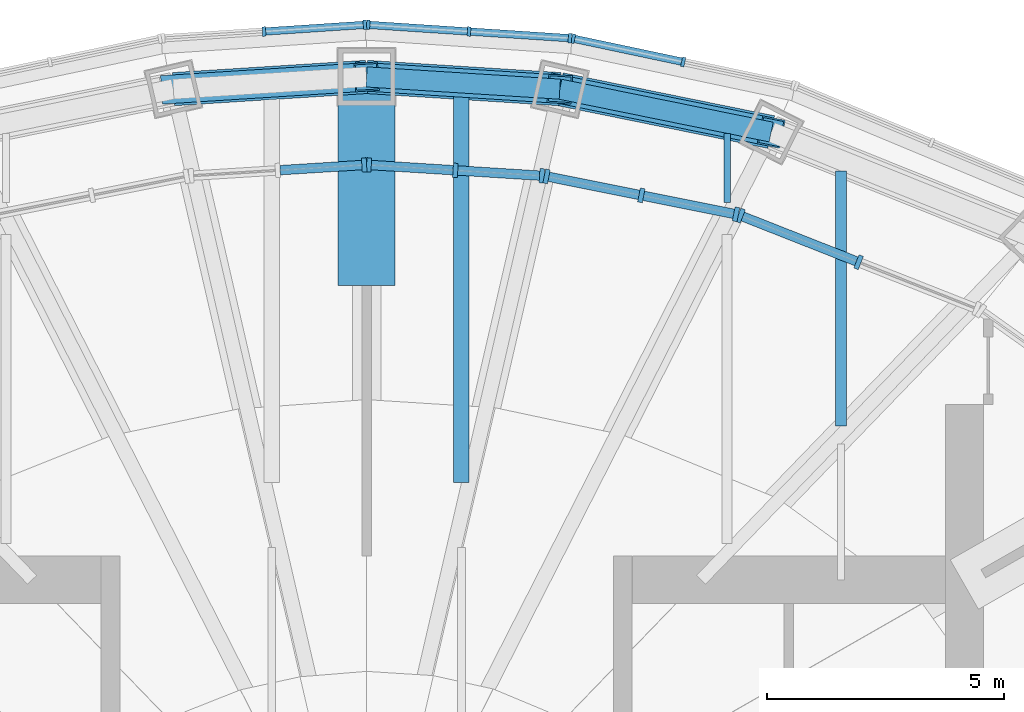
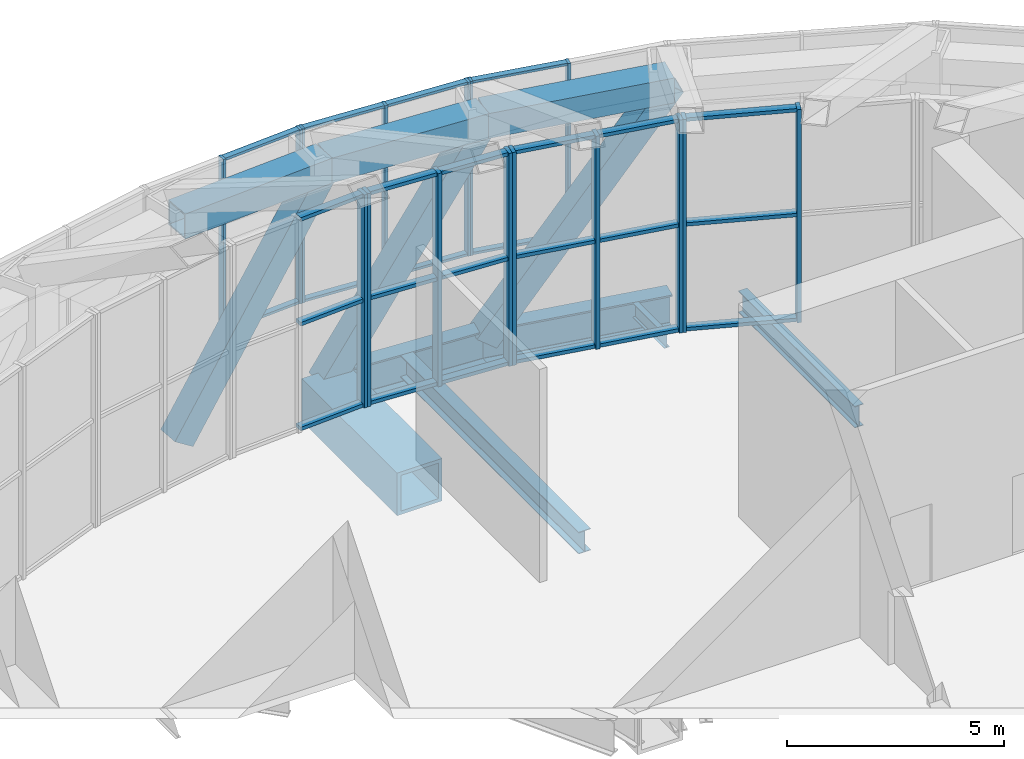
# One storey, part 12 of 21: 45 members, 9 beams, 7 elements without a shape of their own.
"""IFC4 building model written with IfcOpenShell, lengths in metres."""

import ifcopenshell
import ifcopenshell.guid

model = None  # the IFC model being written
_history = None  # IfcOwnerHistory: only IFC2X3 demands one
_inside = {}  # id of a spatial element -> (the spatial element, [elements in it])
_under = {}  # id of a project, library or spatial element -> (it, [spatial elements below it])
_declared = {}  # id of a project -> (the project, [libraries it declares])
_typed = {}  # id of a type object -> (the type object, [elements of that type])
_made_of = {}  # id of a material, layer set ... -> (it, [elements and type objects made of it])


def new_model(schema):
    """Start an empty IFC model of exactly this schema.

    Asked for "IFC4X3", IfcOpenShell would pick the latest addendum, in which some entities
    have other attributes; the version numbers below select the first issue.
    IFC2X3 requires an IfcOwnerHistory on every rooted entity: one is made here for all.
    """
    global model, _history
    if schema == "IFC4X3":
        model = ifcopenshell.file(schema_version=(4, 3, 0, 0))
    else:
        model = ifcopenshell.file(schema=schema)
    _inside.clear()
    _under.clear()
    _declared.clear()
    _typed.clear()
    _made_of.clear()
    _history = None
    if model.schema == "IFC2X3":
        org = make("IfcOrganization", Name="unknown")
        user = make(
            "IfcPersonAndOrganization",
            ThePerson=make("IfcPerson", FamilyName="unknown"),
            TheOrganization=org,
        )
        app = make(
            "IfcApplication",
            ApplicationDeveloper=org,
            Version="unknown",
            ApplicationFullName="unknown",
            ApplicationIdentifier="unknown",
        )
        _history = make(
            "IfcOwnerHistory",
            OwningUser=user,
            OwningApplication=app,
            ChangeAction="ADDED",
            CreationDate=0,
        )
    return model


def make(cls, **values):
    """One entity of the class cls with the attributes given. An attribute that is None is left unset."""
    return model.create_entity(
        cls, **{name: value for name, value in values.items() if value is not None}
    )


def rooted(cls, **values):
    """An entity with a GlobalId (a new one), such as an element, a storey or a relation."""
    return make(cls, GlobalId=ifcopenshell.guid.new(), OwnerHistory=_history, **values)


def si_unit(unit_type, name, prefix=None):
    """IfcSIUnit, for example si_unit("LENGTHUNIT", "METRE", prefix="MILLI")."""
    return make("IfcSIUnit", UnitType=unit_type, Prefix=prefix, Name=name)


def assignment(units):
    """IfcUnitAssignment: the units of a project."""
    return None if units is None else make("IfcUnitAssignment", Units=units)


def point(xyz):
    """IfcCartesianPoint."""
    return None if xyz is None else make("IfcCartesianPoint", Coordinates=xyz)


def direction(xyz):
    """IfcDirection."""
    return None if xyz is None else make("IfcDirection", DirectionRatios=xyz)


def frame(location, z_axis=None, x_axis=None):
    """IfcAxis2Placement3D, a coordinate frame: its origin and axes. An axis left out is left unset."""
    return make(
        "IfcAxis2Placement3D",
        Location=point(location),
        Axis=direction(z_axis),
        RefDirection=direction(x_axis),
    )


def frame_2d(location, x_axis=None):
    """IfcAxis2Placement2D, a coordinate frame in the plane: its origin and x axis."""
    return make(
        "IfcAxis2Placement2D", Location=point(location), RefDirection=direction(x_axis)
    )


def origin():
    """The frame at (0, 0, 0) with its axes left unset."""
    return frame((0.0, 0.0, 0.0))


def origin_2d():
    """The frame at (0, 0) in the plane with its x axis left unset."""
    return frame_2d((0.0, 0.0))


def place(relative_to, where):
    """IfcLocalPlacement: puts the frame where relative to a parent placement (None: the world)."""
    return make(
        "IfcLocalPlacement", PlacementRelTo=relative_to, RelativePlacement=where
    )


def context(
    kind, dimensions, precision=None, world=None, true_north=None, identifier=None
):
    """IfcGeometricRepresentationContext, for example the 3D "Model" context."""
    return make(
        "IfcGeometricRepresentationContext",
        ContextIdentifier=identifier,
        ContextType=kind,
        CoordinateSpaceDimension=dimensions,
        Precision=precision,
        WorldCoordinateSystem=world,
        TrueNorth=true_north,
    )


def subcontext(parent, identifier, kind, view, scale=None):
    """IfcGeometricRepresentationSubContext, for example "Body" below "Model"."""
    return make(
        "IfcGeometricRepresentationSubContext",
        ContextIdentifier=identifier,
        ContextType=kind,
        ParentContext=parent,
        TargetScale=scale,
        TargetView=view,
    )


def project(units=None, contexts=None):
    """IfcProject with its units and contexts."""
    return rooted(
        "IfcProject",
        Name="project",
        RepresentationContexts=contexts,
        UnitsInContext=assignment(units),
    )


def spatial(cls, under=None, at=None, **own):
    """A site, building, storey or space (cls), placed at a placement, below another one or the project."""
    s = rooted(cls, ObjectPlacement=at, **own)
    if under is not None:
        _under.setdefault(under.id(), (under, []))[1].append(s)
    return s


def profile(cls, at=None, kind="AREA", **sizes):
    """A parametric profile (cls). Its sizes go by their IFC names, for example OverallWidth=200.0."""
    return make(cls, ProfileType=kind, Position=at, **sizes)


def rectangle(**sizes):
    """IfcRectangleProfileDef."""
    return profile("IfcRectangleProfileDef", **sizes)


def hollow_rectangle(**sizes):
    """IfcRectangleHollowProfileDef."""
    return profile("IfcRectangleHollowProfileDef", **sizes)


def i_section(**sizes):
    """IfcIShapeProfileDef."""
    return profile("IfcIShapeProfileDef", **sizes)


def extrude(swept, where, along, depth):
    """IfcExtrudedAreaSolid: the profile swept, set in the frame where, extruded along a direction by depth."""
    return make(
        "IfcExtrudedAreaSolid",
        SweptArea=swept,
        Position=where,
        ExtrudedDirection=direction(along),
        Depth=depth,
    )


def shape(context_of_items, identifier, shape_type, items):
    """IfcShapeRepresentation: the items that make up one representation, for example the "Body"."""
    return make(
        "IfcShapeRepresentation",
        ContextOfItems=context_of_items,
        RepresentationIdentifier=identifier,
        RepresentationType=shape_type,
        Items=items,
    )


def material(Name=None, Category=None):
    """IfcMaterial."""
    return make("IfcMaterial", Name=Name, Category=Category)


def material_profile(
    of_material, cross_section, Name=None, Category=None, Priority=None
):
    """IfcMaterialProfile: a cross section and its material."""
    return make(
        "IfcMaterialProfile",
        Name=Name,
        Material=of_material,
        Profile=cross_section,
        Priority=Priority,
        Category=Category,
    )


def profile_set(profiles, Name=None, composite=None):
    """IfcMaterialProfileSet."""
    return make(
        "IfcMaterialProfileSet",
        Name=Name,
        MaterialProfiles=profiles,
        CompositeProfile=composite,
    )


def made_of(thing, what):
    """Note that an element or type object is made of a material, layer set ...; save() writes the relation."""
    if what is not None:
        _made_of.setdefault(what.id(), (what, []))[1].append(thing)
    return thing


def type_object(cls, material=None, **own):
    """A type object (cls), such as IfcWallType, which elements share."""
    return made_of(rooted(cls, **own), material)


def element(
    cls,
    number,
    at=None,
    inside=None,
    cuts=None,
    type_object=None,
    material=None,
    context=None,
    identifier="Body",
    shape_type=None,
    held_by="IfcProductDefinitionShape",
    body=None,
    shapes=None,
    **own,
):
    """One element of the class cls, such as IfcWall. Its Tag is "e" and its number.

    at: its placement. inside: the storey or other place that contains it. cuts: it is an
    opening in that element (IfcRelVoidsElement). A single representation is given by context,
    identifier, shape_type and body (its items); several are given by shapes. held_by: the class
    of the entity that holds the representations. save() writes the other relations.
    """
    e = rooted(cls, Tag="e%d" % number, ObjectPlacement=at, **own)
    if body is not None:
        shapes = [shape(context, identifier, shape_type, body)]
    if shapes is not None:
        e.Representation = make(held_by, Representations=shapes)
    if inside is not None:
        _inside.setdefault(inside.id(), (inside, []))[1].append(e)
    if cuts is not None:
        rooted(
            "IfcRelVoidsElement", RelatingBuildingElement=cuts, RelatedOpeningElement=e
        )
    if type_object is not None:
        _typed.setdefault(type_object.id(), (type_object, []))[1].append(e)
    return made_of(e, material)


def aggregate(whole, parts):
    """IfcRelAggregates: a whole, such as a stair, and the parts it consists of."""
    return rooted("IfcRelAggregates", RelatingObject=whole, RelatedObjects=parts)


def save(model, path):
    """Write the relations noted so far, then the file.

    IfcRelAggregates (storeys below a building ...), IfcRelContainedInSpatialStructure (elements
    in a storey), IfcRelDefinesByType, IfcRelAssociatesMaterial and IfcRelDeclares: one each for
    every whole, place, type object, material and project.
    """
    for whole, parts in _under.values():
        aggregate(whole, parts)
    for where, things in _inside.values():
        rooted(
            "IfcRelContainedInSpatialStructure",
            RelatedElements=things,
            RelatingStructure=where,
        )
    for kind, things in _typed.values():
        rooted("IfcRelDefinesByType", RelatedObjects=things, RelatingType=kind)
    for what, things in _made_of.values():
        rooted("IfcRelAssociatesMaterial", RelatedObjects=things, RelatingMaterial=what)
    for by, libraries in _declared.values():
        rooted("IfcRelDeclares", RelatingContext=by, RelatedDefinitions=libraries)
    model.write(path)


model = new_model("IFC4")

# Units and contexts
model_context = context("Model", 3, precision=1e-05, world=origin(), true_north=direction((0.0, 1.0)))
body_context = subcontext(model_context, "Body", "Model", "MODEL_VIEW")
ifc_project = project(units=[si_unit("LENGTHUNIT", "METRE"), si_unit("AREAUNIT", "SQUARE_METRE"), si_unit("VOLUMEUNIT", "CUBIC_METRE"), si_unit("PLANEANGLEUNIT", "RADIAN"), si_unit("MASSUNIT", "GRAM", prefix="KILO")], contexts=[model_context])

# Site, building, storey
site_placement = place(None, origin())
site = spatial("IfcSite", under=ifc_project, at=site_placement, CompositionType="ELEMENT")
building_placement = place(site_placement, origin())
building = spatial("IfcBuilding", under=site, at=building_placement, Name="Lantaw Convention Tower", CompositionType="ELEMENT")
storey_placement = place(building_placement, frame((0.0, 0.0, 290.39990234375)))
storey = spatial("IfcBuildingStorey", under=building, at=storey_placement, Name="L67", CompositionType="ELEMENT", Elevation=290.39990234375)

# Beams
ifc_material_1 = material(Name="Steel ASTM A992", Category="steel")
ifc_material_profile_1 = material_profile(ifc_material_1, i_section(OverallWidth=0.424072265625, OverallDepth=0.947509765625, WebThickness=0.02392578125, FlangeThickness=0.042724609375, FilletRadius=0.012451171875, at=origin_2d()), Name="W36X302")
ifc_profile_set_1 = profile_set([ifc_material_profile_1], Name="Steel ASTM A992")
beam_type_1 = type_object("IfcBeamType", Name="Beam BC W36X302", PredefinedType="SPANDREL", material=ifc_profile_set_1)
beam_1_placement = place(storey_placement, frame((8.5283203125, 16.73779296875, -0.673583984375), z_axis=(-0.980006466425, 0.198965639657, 0.0), x_axis=(-0.198965639657, -0.980006466425, 0.0)))
element("IfcBeam", 1, at=beam_1_placement, inside=storey, type_object=beam_type_1, Name="Belt truss chord 5", PredefinedType="SPANDREL", context=body_context, shape_type="SweptSolid", body=[
    extrude(i_section(OverallWidth=0.424072265625, OverallDepth=0.947509765625, WebThickness=0.02392578125, FlangeThickness=0.042724609375, FilletRadius=0.012451171875, at=origin_2d()), origin(), (0.0, 0.0, 1.0), 4.546142578125),
])
beam_2_placement = place(storey_placement, frame((4.072998046875, 17.642333984375, -0.673583984375), z_axis=(-0.998006453216, 0.063111958769, 0.0), x_axis=(-0.063111958769, -0.998006453216, 0.0)))
element("IfcBeam", 2, at=beam_2_placement, inside=storey, type_object=beam_type_1, Name="Belt truss chord 6", PredefinedType="SPANDREL", context=body_context, shape_type="SweptSolid", body=[
    extrude(i_section(OverallWidth=0.424072265625, OverallDepth=0.947509765625, WebThickness=0.02392578125, FlangeThickness=0.042724609375, FilletRadius=0.012451171875, at=origin_2d()), origin(), (0.0, 0.0, 1.0), 4.0810546875),
])
ifc_material_2 = material(Name="Steel EN 10025-3 S460N", Category="steel")
ifc_material_profile_2 = material_profile(ifc_material_2, hollow_rectangle(XDim=1.199951171875, YDim=1.199951171875, WallThickness=0.10009765625, at=origin_2d()), Name="BOX1200X100")
ifc_profile_set_2 = profile_set([ifc_material_profile_2], Name="Steel EN 10025-3 S460N")
beam_type_2 = type_object("IfcBeamType", Name="Beam G BOX1200X100", PredefinedType="BEAM", material=ifc_profile_set_2)
beam_3_placement = place(storey_placement, frame((0.0, 13.5, -0.7998046875), z_axis=(0.0, 1.0, 0.0), x_axis=(-1.0, 0.0, 0.0)))
element("IfcBeam", 3, at=beam_3_placement, inside=storey, type_object=beam_type_2, Name="Floor girder on ray 7", PredefinedType="BEAM", context=body_context, shape_type="SweptSolid", body=[
    extrude(hollow_rectangle(XDim=1.199951171875, YDim=1.199951171875, WallThickness=0.10009765625, at=origin_2d()), origin(), (0.0, 0.0, 1.0), 4.39990234375),
])
ifc_material_profile_3 = material_profile(ifc_material_1, i_section(OverallWidth=0.140380859375, OverallDepth=0.40380859375, WebThickness=0.007080078125, FlangeThickness=0.01123046875, FilletRadius=0.01025390625, at=origin_2d()), Name="W16X31")
ifc_profile_set_3 = profile_set([ifc_material_profile_3], Name="Steel ASTM A992")
beam_type_3 = type_object("IfcBeamType", Name="Beam J W16X31", PredefinedType="JOIST", material=ifc_profile_set_3)
beam_4_placement = place(storey_placement, frame((7.60009765625, 15.25439453125, -0.40185546875), z_axis=(0.0, 1.0, 0.0), x_axis=(-1.0, 0.0, 0.0)))
element("IfcBeam", 4, at=beam_4_placement, inside=storey, type_object=beam_type_3, Name="Floor joist", PredefinedType="JOIST", context=body_context, shape_type="SweptSolid", body=[
    extrude(i_section(OverallWidth=0.140380859375, OverallDepth=0.40380859375, WebThickness=0.007080078125, FlangeThickness=0.01123046875, FilletRadius=0.01025390625, at=origin_2d()), origin(), (0.0, 0.0, 1.0), 1.45556640625),
])
ifc_material_profile_4 = material_profile(ifc_material_1, i_section(OverallWidth=0.3251953125, OverallDepth=0.612060546875, WebThickness=0.0126953125, FlangeThickness=0.01904296875, FilletRadius=0.0126953125, at=origin_2d()), Name="W24X104")
ifc_profile_set_4 = profile_set([ifc_material_profile_4], Name="Steel ASTM A992")
beam_type_4 = type_object("IfcBeamType", Name="Beam J W24X104", PredefinedType="JOIST", material=ifc_profile_set_4)
beam_5_placement = place(storey_placement, frame((2.0, 9.34619140625, -0.505859375), z_axis=(0.0, 1.0, 0.0), x_axis=(-1.0, 0.0, 0.0)))
element("IfcBeam", 5, at=beam_5_placement, inside=storey, type_object=beam_type_4, Name="Floor joist", PredefinedType="JOIST", context=body_context, shape_type="SweptSolid", body=[
    extrude(i_section(OverallWidth=0.3251953125, OverallDepth=0.612060546875, WebThickness=0.0126953125, FlangeThickness=0.01904296875, FilletRadius=0.0126953125, at=origin_2d()), origin(), (0.0, 0.0, 1.0), 8.21484375),
])
ifc_material_profile_5 = material_profile(ifc_material_1, i_section(OverallWidth=0.22900390625, OverallDepth=0.612060546875, WebThickness=0.011962890625, FlangeThickness=0.01953125, FilletRadius=0.0126953125, at=origin_2d()), Name="W24X84")
ifc_profile_set_5 = profile_set([ifc_material_profile_5], Name="Steel ASTM A992")
beam_type_5 = type_object("IfcBeamType", Name="Beam J W24X84", PredefinedType="JOIST", material=ifc_profile_set_5)
beam_6_placement = place(storey_placement, frame((10.0, 10.54736328125, -0.505859375), z_axis=(0.0, 1.0, 0.0), x_axis=(-1.0, 0.0, 0.0)))
element("IfcBeam", 6, at=beam_6_placement, inside=storey, type_object=beam_type_5, Name="Floor joist", PredefinedType="JOIST", context=body_context, shape_type="SweptSolid", body=[
    extrude(i_section(OverallWidth=0.22900390625, OverallDepth=0.612060546875, WebThickness=0.011962890625, FlangeThickness=0.01953125, FilletRadius=0.0126953125, at=origin_2d()), origin(), (0.0, 0.0, 1.0), 5.3701171875),
])
ifc_material_3 = material(Name="Steel ASTM A572 Grade 50", Category="steel")
ifc_material_profile_6 = material_profile(ifc_material_3, hollow_rectangle(XDim=0.699951171875, YDim=0.699951171875, WallThickness=0.0400390625, at=origin_2d()), Name="BOX700X40")
ifc_profile_set_6 = profile_set([ifc_material_profile_6], Name="Steel ASTM A572 Grade 50")
beam_type_6 = type_object("IfcBeamType", Name="Beam crown ring BOX700X40", PredefinedType="SPANDREL", material=ifc_profile_set_6)
beam_7_placement = place(storey_placement, frame((8.5283203125, 16.73779296875, 5.650146484375), z_axis=(-0.980006466425, 0.198965639657, 0.0), x_axis=(-0.198965639657, -0.980006466425, 0.0)))
element("IfcBeam", 7, at=beam_7_placement, inside=storey, type_object=beam_type_6, Name="Crown ring beam", PredefinedType="SPANDREL", context=body_context, shape_type="SweptSolid", body=[
    extrude(hollow_rectangle(XDim=0.699951171875, YDim=0.699951171875, WallThickness=0.0400390625, at=origin_2d()), origin(), (0.0, 0.0, 1.0), 4.546142578125),
])
for number, where, z_axis, x_axis, name in (
    (8, (4.072998046875, 17.642333984375, 5.650146484375), (-0.998006453216, 0.063111958769, 0.0), (-0.063111958769, -0.998006453216, 0.0), "Crown ring beam"),
    (9, (0.0, 17.89990234375, 5.650146484375), (-0.998006453216, -0.063111958769, 0.0), (0.063111958769, -0.998006453216, 0.0), "Crown ring beam"),
):
    element("IfcBeam", number, at=place(storey_placement, frame(where, z_axis=z_axis, x_axis=x_axis)), inside=storey, type_object=beam_type_6, Name=name, PredefinedType="SPANDREL", context=body_context, shape_type="SweptSolid", body=[
        extrude(hollow_rectangle(XDim=0.699951171875, YDim=0.699951171875, WallThickness=0.0400390625, at=origin_2d()), origin(), (0.0, 0.0, 1.0), 4.0810546875),
    ])

# Curtain wall, members
ifc_material_4 = material(Name="Aluminium framed curtain wall", Category="aluminium")
curtain_wall_type_1 = type_object("IfcCurtainWallType", Name="LANTERN glazing curtain wall, pale aluminium", PredefinedType="USERDEFINED", material=ifc_material_4)
curtain_wall_1_placement = place(storey_placement, origin())
curtain_wall_1 = element("IfcCurtainWall", 10, at=curtain_wall_1_placement, inside=storey, type_object=curtain_wall_type_1, Name="LANTERN glazing curtain wall, pale aluminium L67", ObjectType="LANTERN GLAZING", PredefinedType="USERDEFINED")
ifc_material_5 = material(Name="Aluminium 6063-T6", Category="aluminium")
ifc_material_profile_7 = material_profile(ifc_material_5, rectangle(XDim=0.300048828125, YDim=0.10009765625, at=origin_2d()), Name="CW-LN mullion 100x300")
ifc_profile_set_7 = profile_set([ifc_material_profile_7], Name="Aluminium 6063-T6")
member_type_1 = type_object("IfcMemberType", Name="CW-LN mullion 100x300", PredefinedType="MULLION", material=ifc_profile_set_7)
member_1_placement = place(storey_placement, frame((10.37109375, 13.994873046875, 0.0), z_axis=(0.0, 0.0, 1.0), x_axis=(-0.366801957358, -0.930299050885, 0.0)))
member_1 = element("IfcMember", 11, at=member_1_placement, type_object=member_type_1, Name="CW-LN mullion 2", PredefinedType="MULLION", context=body_context, shape_type="SweptSolid", body=[
    extrude(rectangle(XDim=0.300048828125, YDim=0.10009765625, at=origin_2d()), origin(), (0.0, 0.0, 1.0), 6.0),
])
member_2_placement = place(storey_placement, frame((7.883056640625, 14.97607421875, 0.0), z_axis=(0.0, 0.0, 1.0), x_axis=(-0.366801957358, -0.930299050885, 0.0)))
member_2 = element("IfcMember", 12, at=member_2_placement, type_object=member_type_1, Name="CW-LN mullion 3", PredefinedType="MULLION", context=body_context, shape_type="SweptSolid", body=[
    extrude(rectangle(XDim=0.300048828125, YDim=0.10009765625, at=origin_2d()), origin(), (0.0, 0.0, 1.0), 6.0),
])

curtain_wall_2_placement = place(storey_placement, origin())
curtain_wall_2 = element("IfcCurtainWall", 13, at=curtain_wall_2_placement, inside=storey, type_object=curtain_wall_type_1, Name="LANTERN glazing curtain wall, pale aluminium L67", ObjectType="LANTERN GLAZING", PredefinedType="USERDEFINED")
member_3_placement = place(storey_placement, frame((7.787353515625, 15.004150390625, 0.0), z_axis=(0.0, 0.0, 1.0), x_axis=(-0.196367228305, -0.980530423622, 0.0)))
member_3 = element("IfcMember", 14, at=member_3_placement, type_object=member_type_1, Name="CW-LN mullion 1", PredefinedType="MULLION", context=body_context, shape_type="SweptSolid", body=[
    extrude(rectangle(XDim=0.300048828125, YDim=0.10009765625, at=origin_2d()), origin(), (0.0, 0.0, 1.0), 6.0),
])
member_4_placement = place(storey_placement, frame((5.791015625, 15.404052734375, 0.0), z_axis=(0.0, 0.0, 1.0), x_axis=(-0.196367228305, -0.980530423622, 0.0)))
member_4 = element("IfcMember", 15, at=member_4_placement, type_object=member_type_1, Name="CW-LN mullion 2", PredefinedType="MULLION", context=body_context, shape_type="SweptSolid", body=[
    extrude(rectangle(XDim=0.300048828125, YDim=0.10009765625, at=origin_2d()), origin(), (0.0, 0.0, 1.0), 6.0),
])
member_5_placement = place(storey_placement, frame((3.79443359375, 15.8037109375, 0.0), z_axis=(0.0, 0.0, 1.0), x_axis=(-0.196367228305, -0.980530423622, 0.0)))
member_5 = element("IfcMember", 16, at=member_5_placement, type_object=member_type_1, Name="CW-LN mullion 3", PredefinedType="MULLION", context=body_context, shape_type="SweptSolid", body=[
    extrude(rectangle(XDim=0.300048828125, YDim=0.10009765625, at=origin_2d()), origin(), (0.0, 0.0, 1.0), 6.0),
])

curtain_wall_3_placement = place(storey_placement, origin())
curtain_wall_3 = element("IfcCurtainWall", 17, at=curtain_wall_3_placement, inside=storey, type_object=curtain_wall_type_1, Name="LANTERN glazing curtain wall, pale aluminium L67", ObjectType="LANTERN GLAZING", PredefinedType="USERDEFINED")
member_6_placement = place(storey_placement, frame((3.6953125, 15.816650390625, 0.0), z_axis=(0.0, 0.0, 1.0), x_axis=(-0.062488626454, -0.998045676091, 0.0)))
member_6 = element("IfcMember", 18, at=member_6_placement, type_object=member_type_1, Name="CW-LN mullion 1", PredefinedType="MULLION", context=body_context, shape_type="SweptSolid", body=[
    extrude(rectangle(XDim=0.300048828125, YDim=0.10009765625, at=origin_2d()), origin(), (0.0, 0.0, 1.0), 6.0),
])
member_7_placement = place(storey_placement, frame((1.87255859375, 15.930908203125, 0.0), z_axis=(0.0, 0.0, 1.0), x_axis=(-0.062488626454, -0.998045676091, 0.0)))
member_7 = element("IfcMember", 19, at=member_7_placement, type_object=member_type_1, Name="CW-LN mullion 2", PredefinedType="MULLION", context=body_context, shape_type="SweptSolid", body=[
    extrude(rectangle(XDim=0.300048828125, YDim=0.10009765625, at=origin_2d()), origin(), (0.0, 0.0, 1.0), 6.0),
])
member_8_placement = place(storey_placement, frame((0.0498046875, 16.044921875, 0.0), z_axis=(0.0, 0.0, 1.0), x_axis=(-0.062488626454, -0.998045676091, 0.0)))
member_8 = element("IfcMember", 20, at=member_8_placement, type_object=member_type_1, Name="CW-LN mullion 3", PredefinedType="MULLION", context=body_context, shape_type="SweptSolid", body=[
    extrude(rectangle(XDim=0.300048828125, YDim=0.10009765625, at=origin_2d()), origin(), (0.0, 0.0, 1.0), 6.0),
])

# Curtain wall, member
curtain_wall_4_placement = place(storey_placement, origin())
curtain_wall_4 = element("IfcCurtainWall", 21, at=curtain_wall_4_placement, inside=storey, type_object=curtain_wall_type_1, Name="LANTERN glazing curtain wall, pale aluminium L67", ObjectType="LANTERN GLAZING", PredefinedType="USERDEFINED")
member_9_placement = place(storey_placement, frame((-0.0498046875, 16.044921875, 0.0), z_axis=(0.0, 0.0, 1.0), x_axis=(0.062488626454, -0.998045676091, 0.0)))
member_9 = element("IfcMember", 22, at=member_9_placement, type_object=member_type_1, Name="CW-LN mullion 1", PredefinedType="MULLION", context=body_context, shape_type="SweptSolid", body=[
    extrude(rectangle(XDim=0.300048828125, YDim=0.10009765625, at=origin_2d()), origin(), (0.0, 0.0, 1.0), 6.0),
])

# Member
ifc_material_profile_8 = material_profile(ifc_material_5, rectangle(XDim=0.199951171875, YDim=0.10009765625, at=origin_2d()), Name="CW-LN transom 100x200")
ifc_profile_set_8 = profile_set([ifc_material_profile_8], Name="Aluminium 6063-T6")
member_type_2 = type_object("IfcMemberType", Name="CW-LN transom 100x200", PredefinedType="USERDEFINED", material=ifc_profile_set_8)
member_10_placement = place(storey_placement, frame((10.32470703125, 14.01318359375, 0.050048828125), z_axis=(-0.930309390119, 0.366775733461, 0.0), x_axis=(-0.366775733461, -0.930309390119, 0.0)))
member_10 = element("IfcMember", 23, at=member_10_placement, type_object=member_type_2, Name="CW-LN transom 2.1", ObjectType="TRANSOM", PredefinedType="USERDEFINED", context=body_context, shape_type="SweptSolid", body=[
    extrude(rectangle(XDim=0.199951171875, YDim=0.10009765625, at=origin_2d()), origin(), (0.0, 0.0, 1.0), 2.57470703125),
])

member_11_placement = place(storey_placement, frame((10.32470703125, 14.01318359375, 3.0), z_axis=(-0.930309390119, 0.366775733461, 0.0), x_axis=(-0.366775733461, -0.930309390119, 0.0)))
member_11 = element("IfcMember", 24, at=member_11_placement, type_object=member_type_2, Name="CW-LN transom 2.2", ObjectType="TRANSOM", PredefinedType="USERDEFINED", context=body_context, shape_type="SweptSolid", body=[
    extrude(rectangle(XDim=0.199951171875, YDim=0.10009765625, at=origin_2d()), origin(), (0.0, 0.0, 1.0), 2.57470703125),
])

member_12_placement = place(storey_placement, frame((10.32470703125, 14.01318359375, 5.9501953125), z_axis=(-0.930309390119, 0.366775733461, 0.0), x_axis=(-0.366775733461, -0.930309390119, 0.0)))
member_12 = element("IfcMember", 25, at=member_12_placement, type_object=member_type_2, Name="CW-LN transom 2.3", ObjectType="TRANSOM", PredefinedType="USERDEFINED", context=body_context, shape_type="SweptSolid", body=[
    extrude(rectangle(XDim=0.199951171875, YDim=0.10009765625, at=origin_2d()), origin(), (0.0, 0.0, 1.0), 2.57470703125),
])

aggregate(curtain_wall_1, [member_1, member_2, member_10, member_11, member_12])

member_13_placement = place(storey_placement, frame((7.738525390625, 15.013916015625, 0.050048828125), z_axis=(-0.980541861959, 0.196310104034, 0.0), x_axis=(-0.196310104034, -0.980541861959, 0.0)))
member_13 = element("IfcMember", 26, at=member_13_placement, type_object=member_type_2, Name="CW-LN transom 1.1", ObjectType="TRANSOM", PredefinedType="USERDEFINED", context=body_context, shape_type="SweptSolid", body=[
    extrude(rectangle(XDim=0.199951171875, YDim=0.10009765625, at=origin_2d()), origin(), (0.0, 0.0, 1.0), 1.936279296875),
])

member_14_placement = place(storey_placement, frame((7.738525390625, 15.013916015625, 3.0), z_axis=(-0.980541861959, 0.196310104034, 0.0), x_axis=(-0.196310104034, -0.980541861959, 0.0)))
member_14 = element("IfcMember", 27, at=member_14_placement, type_object=member_type_2, Name="CW-LN transom 1.2", ObjectType="TRANSOM", PredefinedType="USERDEFINED", context=body_context, shape_type="SweptSolid", body=[
    extrude(rectangle(XDim=0.199951171875, YDim=0.10009765625, at=origin_2d()), origin(), (0.0, 0.0, 1.0), 1.936279296875),
])

member_15_placement = place(storey_placement, frame((7.738525390625, 15.013916015625, 5.9501953125), z_axis=(-0.980541861959, 0.196310104034, 0.0), x_axis=(-0.196310104034, -0.980541861959, 0.0)))
member_15 = element("IfcMember", 28, at=member_15_placement, type_object=member_type_2, Name="CW-LN transom 1.3", ObjectType="TRANSOM", PredefinedType="USERDEFINED", context=body_context, shape_type="SweptSolid", body=[
    extrude(rectangle(XDim=0.199951171875, YDim=0.10009765625, at=origin_2d()), origin(), (0.0, 0.0, 1.0), 1.936279296875),
])

member_16_placement = place(storey_placement, frame((5.741943359375, 15.413818359375, 0.050048828125), z_axis=(-0.980541861959, 0.196310104034, 0.0), x_axis=(-0.196310104034, -0.980541861959, 0.0)))
member_16 = element("IfcMember", 29, at=member_16_placement, type_object=member_type_2, Name="CW-LN transom 2.1", ObjectType="TRANSOM", PredefinedType="USERDEFINED", context=body_context, shape_type="SweptSolid", body=[
    extrude(rectangle(XDim=0.199951171875, YDim=0.10009765625, at=origin_2d()), origin(), (0.0, 0.0, 1.0), 1.936279296875),
])

member_17_placement = place(storey_placement, frame((5.741943359375, 15.413818359375, 3.0), z_axis=(-0.980541861959, 0.196310104034, 0.0), x_axis=(-0.196310104034, -0.980541861959, 0.0)))
member_17 = element("IfcMember", 30, at=member_17_placement, type_object=member_type_2, Name="CW-LN transom 2.2", ObjectType="TRANSOM", PredefinedType="USERDEFINED", context=body_context, shape_type="SweptSolid", body=[
    extrude(rectangle(XDim=0.199951171875, YDim=0.10009765625, at=origin_2d()), origin(), (0.0, 0.0, 1.0), 1.936279296875),
])

member_18_placement = place(storey_placement, frame((5.741943359375, 15.413818359375, 5.9501953125), z_axis=(-0.980541861959, 0.196310104034, 0.0), x_axis=(-0.196310104034, -0.980541861959, 0.0)))
member_18 = element("IfcMember", 31, at=member_18_placement, type_object=member_type_2, Name="CW-LN transom 2.3", ObjectType="TRANSOM", PredefinedType="USERDEFINED", context=body_context, shape_type="SweptSolid", body=[
    extrude(rectangle(XDim=0.199951171875, YDim=0.10009765625, at=origin_2d()), origin(), (0.0, 0.0, 1.0), 1.936279296875),
])

aggregate(curtain_wall_2, [member_3, member_4, member_5, member_13, member_14, member_15, member_16, member_17, member_18])

member_19_placement = place(storey_placement, frame((3.6455078125, 15.81982421875, 0.050048828125), z_axis=(-0.9980443153, 0.062510356719, 0.0), x_axis=(-0.062510356719, -0.9980443153, 0.0)))
member_19 = element("IfcMember", 32, at=member_19_placement, type_object=member_type_2, Name="CW-LN transom 1.1", ObjectType="TRANSOM", PredefinedType="USERDEFINED", context=body_context, shape_type="SweptSolid", body=[
    extrude(rectangle(XDim=0.199951171875, YDim=0.10009765625, at=origin_2d()), origin(), (0.0, 0.0, 1.0), 1.726318359375),
])

member_20_placement = place(storey_placement, frame((3.6455078125, 15.81982421875, 3.0), z_axis=(-0.9980443153, 0.062510356719, 0.0), x_axis=(-0.062510356719, -0.9980443153, 0.0)))
member_20 = element("IfcMember", 33, at=member_20_placement, type_object=member_type_2, Name="CW-LN transom 1.2", ObjectType="TRANSOM", PredefinedType="USERDEFINED", context=body_context, shape_type="SweptSolid", body=[
    extrude(rectangle(XDim=0.199951171875, YDim=0.10009765625, at=origin_2d()), origin(), (0.0, 0.0, 1.0), 1.726318359375),
])

member_21_placement = place(storey_placement, frame((3.6455078125, 15.81982421875, 5.9501953125), z_axis=(-0.9980443153, 0.062510356719, 0.0), x_axis=(-0.062510356719, -0.9980443153, 0.0)))
member_21 = element("IfcMember", 34, at=member_21_placement, type_object=member_type_2, Name="CW-LN transom 1.3", ObjectType="TRANSOM", PredefinedType="USERDEFINED", context=body_context, shape_type="SweptSolid", body=[
    extrude(rectangle(XDim=0.199951171875, YDim=0.10009765625, at=origin_2d()), origin(), (0.0, 0.0, 1.0), 1.726318359375),
])

member_22_placement = place(storey_placement, frame((1.82275390625, 15.93408203125, 0.050048828125), z_axis=(-0.9980443153, 0.062510356719, 0.0), x_axis=(-0.062510356719, -0.9980443153, 0.0)))
member_22 = element("IfcMember", 35, at=member_22_placement, type_object=member_type_2, Name="CW-LN transom 2.1", ObjectType="TRANSOM", PredefinedType="USERDEFINED", context=body_context, shape_type="SweptSolid", body=[
    extrude(rectangle(XDim=0.199951171875, YDim=0.10009765625, at=origin_2d()), origin(), (0.0, 0.0, 1.0), 1.726318359375),
])

member_23_placement = place(storey_placement, frame((1.82275390625, 15.93408203125, 3.0), z_axis=(-0.9980443153, 0.062510356719, 0.0), x_axis=(-0.062510356719, -0.9980443153, 0.0)))
member_23 = element("IfcMember", 36, at=member_23_placement, type_object=member_type_2, Name="CW-LN transom 2.2", ObjectType="TRANSOM", PredefinedType="USERDEFINED", context=body_context, shape_type="SweptSolid", body=[
    extrude(rectangle(XDim=0.199951171875, YDim=0.10009765625, at=origin_2d()), origin(), (0.0, 0.0, 1.0), 1.726318359375),
])

member_24_placement = place(storey_placement, frame((1.82275390625, 15.93408203125, 5.9501953125), z_axis=(-0.9980443153, 0.062510356719, 0.0), x_axis=(-0.062510356719, -0.9980443153, 0.0)))
member_24 = element("IfcMember", 37, at=member_24_placement, type_object=member_type_2, Name="CW-LN transom 2.3", ObjectType="TRANSOM", PredefinedType="USERDEFINED", context=body_context, shape_type="SweptSolid", body=[
    extrude(rectangle(XDim=0.199951171875, YDim=0.10009765625, at=origin_2d()), origin(), (0.0, 0.0, 1.0), 1.726318359375),
])

aggregate(curtain_wall_3, [member_6, member_7, member_8, member_19, member_20, member_21, member_22, member_23, member_24])

member_25_placement = place(storey_placement, frame((-0.099853515625, 16.0419921875, 0.050048828125), z_axis=(-0.9980443153, -0.062510356719, 0.0), x_axis=(0.062510356719, -0.9980443153, 0.0)))
member_25 = element("IfcMember", 38, at=member_25_placement, type_object=member_type_2, Name="CW-LN transom 1.1", ObjectType="TRANSOM", PredefinedType="USERDEFINED", context=body_context, shape_type="SweptSolid", body=[
    extrude(rectangle(XDim=0.199951171875, YDim=0.10009765625, at=origin_2d()), origin(), (0.0, 0.0, 1.0), 1.726318359375),
])

member_26_placement = place(storey_placement, frame((-0.099853515625, 16.0419921875, 3.0), z_axis=(-0.9980443153, -0.062510356719, 0.0), x_axis=(0.062510356719, -0.9980443153, 0.0)))
member_26 = element("IfcMember", 39, at=member_26_placement, type_object=member_type_2, Name="CW-LN transom 1.2", ObjectType="TRANSOM", PredefinedType="USERDEFINED", context=body_context, shape_type="SweptSolid", body=[
    extrude(rectangle(XDim=0.199951171875, YDim=0.10009765625, at=origin_2d()), origin(), (0.0, 0.0, 1.0), 1.726318359375),
])

member_27_placement = place(storey_placement, frame((-0.099853515625, 16.0419921875, 5.9501953125), z_axis=(-0.9980443153, -0.062510356719, 0.0), x_axis=(0.062510356719, -0.9980443153, 0.0)))
member_27 = element("IfcMember", 40, at=member_27_placement, type_object=member_type_2, Name="CW-LN transom 1.3", ObjectType="TRANSOM", PredefinedType="USERDEFINED", context=body_context, shape_type="SweptSolid", body=[
    extrude(rectangle(XDim=0.199951171875, YDim=0.10009765625, at=origin_2d()), origin(), (0.0, 0.0, 1.0), 1.726318359375),
])

aggregate(curtain_wall_4, [member_9, member_25, member_26, member_27])

# Curtain wall, members
curtain_wall_type_2 = type_object("IfcCurtainWallType", Name="Plant floor louvre wall, pale aluminium", PredefinedType="USERDEFINED", material=ifc_material_4)
curtain_wall_5_placement = place(storey_placement, origin())
curtain_wall_5 = element("IfcCurtainWall", 41, at=curtain_wall_5_placement, inside=storey, type_object=curtain_wall_type_2, Name="Plant floor louvre wall, pale aluminium L67", ObjectType="LOUVRE WALL", PredefinedType="USERDEFINED")
ifc_material_profile_9 = material_profile(ifc_material_5, rectangle(XDim=0.199951171875, YDim=0.070068359375, at=origin_2d()), Name="CW-LV mullion 70x200")
ifc_profile_set_9 = profile_set([ifc_material_profile_9], Name="Aluminium 6063-T6")
member_type_3 = type_object("IfcMemberType", Name="CW-LV mullion 70x200", PredefinedType="MULLION", material=ifc_profile_set_9)
member_28_placement = place(storey_placement, frame((6.674072265625, 18.216064453125, 1.10009765625), z_axis=(0.0, 0.0, 1.0), x_axis=(-0.207039911975, -0.978332497083, 0.0)))
member_28 = element("IfcMember", 42, at=member_28_placement, type_object=member_type_3, Name="CW-LV mullion 2", PredefinedType="MULLION", context=body_context, shape_type="SweptSolid", body=[
    extrude(rectangle(XDim=0.199951171875, YDim=0.070068359375, at=origin_2d()), origin(), (0.0, 0.0, 1.0), 4.89990234375),
])
member_29_placement = place(storey_placement, frame((4.354736328125, 18.706787109375, 1.10009765625), z_axis=(0.0, 0.0, 1.0), x_axis=(-0.207039911975, -0.978332497083, 0.0)))
member_29 = element("IfcMember", 43, at=member_29_placement, type_object=member_type_3, Name="CW-LV mullion 3", PredefinedType="MULLION", context=body_context, shape_type="SweptSolid", body=[
    extrude(rectangle(XDim=0.199951171875, YDim=0.070068359375, at=origin_2d()), origin(), (0.0, 0.0, 1.0), 4.89990234375),
])

curtain_wall_6_placement = place(storey_placement, origin())
curtain_wall_6 = element("IfcCurtainWall", 44, at=curtain_wall_6_placement, inside=storey, type_object=curtain_wall_type_2, Name="Plant floor louvre wall, pale aluminium L67", ObjectType="LOUVRE WALL", PredefinedType="USERDEFINED")
member_30_placement = place(storey_placement, frame((4.28564453125, 18.71630859375, 1.10009765625), z_axis=(0.0, 0.0, 1.0), x_axis=(-0.066024902273, -0.997817975525, 0.0)))
member_30 = element("IfcMember", 45, at=member_30_placement, type_object=member_type_3, Name="CW-LV mullion 1", PredefinedType="MULLION", context=body_context, shape_type="SweptSolid", body=[
    extrude(rectangle(XDim=0.199951171875, YDim=0.070068359375, at=origin_2d()), origin(), (0.0, 0.0, 1.0), 4.89990234375),
])
member_31_placement = place(storey_placement, frame((2.16015625, 18.857177734375, 1.10009765625), z_axis=(0.0, 0.0, 1.0), x_axis=(-0.066024902273, -0.997817975525, 0.0)))
member_31 = element("IfcMember", 46, at=member_31_placement, type_object=member_type_3, Name="CW-LV mullion 2", PredefinedType="MULLION", context=body_context, shape_type="SweptSolid", body=[
    extrude(rectangle(XDim=0.199951171875, YDim=0.070068359375, at=origin_2d()), origin(), (0.0, 0.0, 1.0), 4.89990234375),
])
member_32_placement = place(storey_placement, frame((0.034912109375, 18.997802734375, 1.10009765625), z_axis=(0.0, 0.0, 1.0), x_axis=(-0.066024902273, -0.997817975525, 0.0)))
member_32 = element("IfcMember", 47, at=member_32_placement, type_object=member_type_3, Name="CW-LV mullion 3", PredefinedType="MULLION", context=body_context, shape_type="SweptSolid", body=[
    extrude(rectangle(XDim=0.199951171875, YDim=0.070068359375, at=origin_2d()), origin(), (0.0, 0.0, 1.0), 4.89990234375),
])

curtain_wall_7_placement = place(storey_placement, origin())
curtain_wall_7 = element("IfcCurtainWall", 48, at=curtain_wall_7_placement, inside=storey, type_object=curtain_wall_type_2, Name="Plant floor louvre wall, pale aluminium L67", ObjectType="LOUVRE WALL", PredefinedType="USERDEFINED")
member_33_placement = place(storey_placement, frame((-0.034912109375, 18.997802734375, 1.10009765625), z_axis=(0.0, 0.0, 1.0), x_axis=(0.066024902273, -0.997817975525, 0.0)))
member_33 = element("IfcMember", 49, at=member_33_placement, type_object=member_type_3, Name="CW-LV mullion 1", PredefinedType="MULLION", context=body_context, shape_type="SweptSolid", body=[
    extrude(rectangle(XDim=0.199951171875, YDim=0.070068359375, at=origin_2d()), origin(), (0.0, 0.0, 1.0), 4.89990234375),
])
member_34_placement = place(storey_placement, frame((-2.16015625, 18.857177734375, 1.10009765625), z_axis=(0.0, 0.0, 1.0), x_axis=(0.066024902273, -0.997817975525, 0.0)))
member_34 = element("IfcMember", 50, at=member_34_placement, type_object=member_type_3, Name="CW-LV mullion 2", PredefinedType="MULLION", context=body_context, shape_type="SweptSolid", body=[
    extrude(rectangle(XDim=0.199951171875, YDim=0.070068359375, at=origin_2d()), origin(), (0.0, 0.0, 1.0), 4.89990234375),
])

# Member
ifc_material_profile_10 = material_profile(ifc_material_5, rectangle(XDim=0.159912109375, YDim=0.070068359375, at=origin_2d()), Name="CW-LV transom 70x160")
ifc_profile_set_10 = profile_set([ifc_material_profile_10], Name="Aluminium 6063-T6")
member_type_4 = type_object("IfcMemberType", Name="CW-LV transom 70x160", PredefinedType="USERDEFINED", material=ifc_profile_set_10)
member_35_placement = place(storey_placement, frame((6.639892578125, 18.223388671875, 1.135009765625), z_axis=(-0.978336479598, 0.207021092375, 0.0), x_axis=(-0.207021092375, -0.978336479598, 0.0)))
member_35 = element("IfcMember", 51, at=member_35_placement, type_object=member_type_4, Name="CW-LV transom 2.1", ObjectType="TRANSOM", PredefinedType="USERDEFINED", context=body_context, shape_type="SweptSolid", body=[
    extrude(rectangle(XDim=0.159912109375, YDim=0.070068359375, at=origin_2d()), origin(), (0.0, 0.0, 1.0), 2.30078125),
])

member_36_placement = place(storey_placement, frame((6.639892578125, 18.223388671875, 5.965087890625), z_axis=(-0.978336479598, 0.207021092375, 0.0), x_axis=(-0.207021092375, -0.978336479598, 0.0)))
member_36 = element("IfcMember", 52, at=member_36_placement, type_object=member_type_4, Name="CW-LV transom 2.2", ObjectType="TRANSOM", PredefinedType="USERDEFINED", context=body_context, shape_type="SweptSolid", body=[
    extrude(rectangle(XDim=0.159912109375, YDim=0.070068359375, at=origin_2d()), origin(), (0.0, 0.0, 1.0), 2.30078125),
])

aggregate(curtain_wall_5, [member_28, member_29, member_35, member_36])

member_37_placement = place(storey_placement, frame((4.250732421875, 18.71875, 1.135009765625), z_axis=(-0.997819110413, 0.066007748753, 0.0), x_axis=(-0.066007748753, -0.997819110413, 0.0)))
member_37 = element("IfcMember", 53, at=member_37_placement, type_object=member_type_4, Name="CW-LV transom 1.1", ObjectType="TRANSOM", PredefinedType="USERDEFINED", context=body_context, shape_type="SweptSolid", body=[
    extrude(rectangle(XDim=0.159912109375, YDim=0.070068359375, at=origin_2d()), origin(), (0.0, 0.0, 1.0), 2.06005859375),
])

member_38_placement = place(storey_placement, frame((4.250732421875, 18.71875, 5.965087890625), z_axis=(-0.997819110413, 0.066007748753, 0.0), x_axis=(-0.066007748753, -0.997819110413, 0.0)))
member_38 = element("IfcMember", 54, at=member_38_placement, type_object=member_type_4, Name="CW-LV transom 1.2", ObjectType="TRANSOM", PredefinedType="USERDEFINED", context=body_context, shape_type="SweptSolid", body=[
    extrude(rectangle(XDim=0.159912109375, YDim=0.070068359375, at=origin_2d()), origin(), (0.0, 0.0, 1.0), 2.06005859375),
])

member_39_placement = place(storey_placement, frame((2.125244140625, 18.859375, 1.135009765625), z_axis=(-0.997818593988, 0.066015554918, 0.0), x_axis=(-0.066015554918, -0.997818593988, 0.0)))
member_39 = element("IfcMember", 55, at=member_39_placement, type_object=member_type_4, Name="CW-LV transom 2.1", ObjectType="TRANSOM", PredefinedType="USERDEFINED", context=body_context, shape_type="SweptSolid", body=[
    extrude(rectangle(XDim=0.159912109375, YDim=0.070068359375, at=origin_2d()), origin(), (0.0, 0.0, 1.0), 2.059814453125),
])

member_40_placement = place(storey_placement, frame((2.125244140625, 18.859375, 5.965087890625), z_axis=(-0.997818593988, 0.066015554918, 0.0), x_axis=(-0.066015554918, -0.997818593988, 0.0)))
member_40 = element("IfcMember", 56, at=member_40_placement, type_object=member_type_4, Name="CW-LV transom 2.2", ObjectType="TRANSOM", PredefinedType="USERDEFINED", context=body_context, shape_type="SweptSolid", body=[
    extrude(rectangle(XDim=0.159912109375, YDim=0.070068359375, at=origin_2d()), origin(), (0.0, 0.0, 1.0), 2.059814453125),
])

aggregate(curtain_wall_6, [member_30, member_31, member_32, member_37, member_38, member_39, member_40])

member_41_placement = place(storey_placement, frame((-0.06982421875, 18.995361328125, 1.135009765625), z_axis=(-0.997818593988, -0.066015554918, 0.0), x_axis=(0.066015554918, -0.997818593988, 0.0)))
member_41 = element("IfcMember", 57, at=member_41_placement, type_object=member_type_4, Name="CW-LV transom 1.1", ObjectType="TRANSOM", PredefinedType="USERDEFINED", context=body_context, shape_type="SweptSolid", body=[
    extrude(rectangle(XDim=0.159912109375, YDim=0.070068359375, at=origin_2d()), origin(), (0.0, 0.0, 1.0), 2.059814453125),
])

member_42_placement = place(storey_placement, frame((-0.06982421875, 18.995361328125, 5.965087890625), z_axis=(-0.997818593988, -0.066015554918, 0.0), x_axis=(0.066015554918, -0.997818593988, 0.0)))
member_42 = element("IfcMember", 58, at=member_42_placement, type_object=member_type_4, Name="CW-LV transom 1.2", ObjectType="TRANSOM", PredefinedType="USERDEFINED", context=body_context, shape_type="SweptSolid", body=[
    extrude(rectangle(XDim=0.159912109375, YDim=0.070068359375, at=origin_2d()), origin(), (0.0, 0.0, 1.0), 2.059814453125),
])

aggregate(curtain_wall_7, [member_33, member_34, member_41, member_42])

# Members
ifc_material_profile_11 = material_profile(ifc_material_3, hollow_rectangle(XDim=0.60009765625, YDim=0.60009765625, WallThickness=0.031982421875, at=origin_2d()), Name="BOX600X32")
ifc_profile_set_11 = profile_set([ifc_material_profile_11], Name="Steel ASTM A572 Grade 50")
member_type_5 = type_object("IfcMemberType", Name="Member CR BOX600X32", PredefinedType="BRACE", material=ifc_profile_set_11)
member_43_placement = place(storey_placement, frame((4.072998046875, 17.642333984375, -0.505859375), z_axis=(0.57950592565, -0.117654088144, 0.806430652741), x_axis=(0.198965639657, 0.980006466425, 0.0)))
element("IfcMember", 59, at=member_43_placement, inside=storey, type_object=member_type_5, Name="Crown ring truss diagonal 5 (upper)", PredefinedType="BRACE", context=body_context, shape_type="SweptSolid", body=[
    extrude(hollow_rectangle(XDim=0.60009765625, YDim=0.60009765625, WallThickness=0.031982421875, at=origin_2d()), origin(), (0.0, 0.0, 1.0), 7.688232421875),
])
for number, where, z_axis, x_axis, name in (
    (60, (0.0, 17.89990234375, -0.505859375), (0.548729002109, -0.034700539305, 0.835279806303), (0.063111958769, 0.998006453216, 0.0), "Crown ring truss diagonal 6 (upper)"),
    (61, (-4.072998046875, 17.642333984375, -0.505859375), (0.548729002109, 0.034700539305, 0.835279806303), (-0.063111958769, 0.998006453216, 0.0), "Crown ring truss diagonal 7 (upper)"),
):
    element("IfcMember", number, at=place(storey_placement, frame(where, z_axis=z_axis, x_axis=x_axis)), inside=storey, type_object=member_type_5, Name=name, PredefinedType="BRACE", context=body_context, shape_type="SweptSolid", body=[
        extrude(hollow_rectangle(XDim=0.60009765625, YDim=0.60009765625, WallThickness=0.031982421875, at=origin_2d()), origin(), (0.0, 0.0, 1.0), 7.422607421875),
    ])

save(model, "model.ifc")
